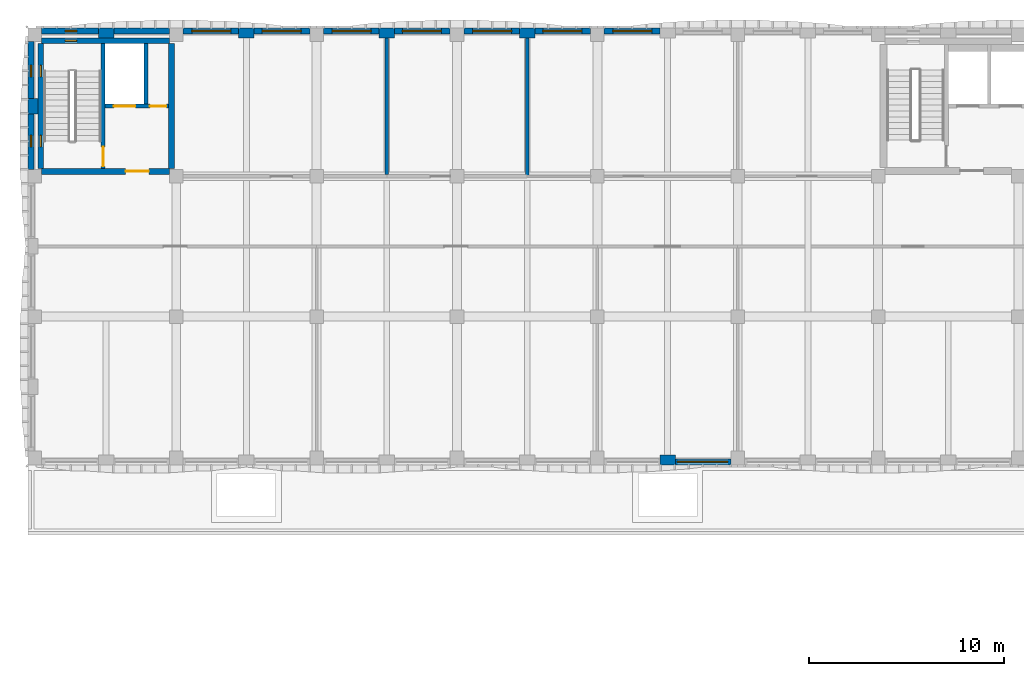
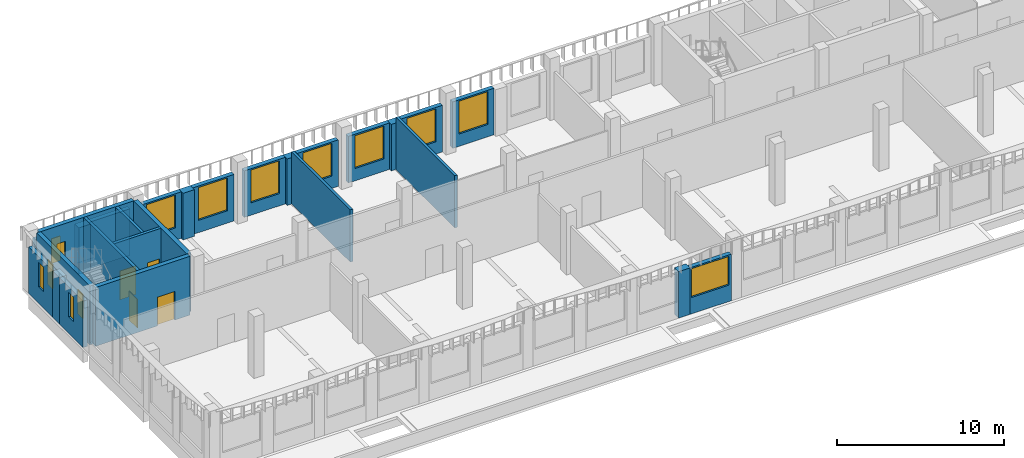
# One storey, part 27 of 59: 27 walls, 14 windows, 4 doors, 18 openings.
"""IFC4 building model written with IfcOpenShell, lengths in metres."""

from ifc_helpers import new_model, si_unit, direction, frame, frame_2d, origin, place, context, subcontext, project, spatial, rectangle, extrude, material, layer, layer_set, type_object, element, fill, save


model = new_model("IFC4")

# Units and contexts
model_context = context("Model", 3, precision=1e-05, world=origin(), true_north=direction((0.0, 1.0)))
body_context = subcontext(model_context, "Body", "Model", "MODEL_VIEW")
ifc_project = project(units=[si_unit("LENGTHUNIT", "METRE"), si_unit("AREAUNIT", "SQUARE_METRE"), si_unit("VOLUMEUNIT", "CUBIC_METRE"), si_unit("PLANEANGLEUNIT", "RADIAN"), si_unit("MASSUNIT", "GRAM", prefix="KILO")], contexts=[model_context])

# Site, building, storey
site_placement = place(None, origin())
site = spatial("IfcSite", under=ifc_project, at=site_placement, CompositionType="ELEMENT")
building_placement = place(site_placement, origin())
building = spatial("IfcBuilding", under=site, at=building_placement, Name="Ussher Court Research Institute", CompositionType="ELEMENT")
storey_placement = place(building_placement, frame((0.0, 0.0, 5.39990234375)))
storey = spatial("IfcBuildingStorey", under=building, at=storey_placement, Name="L01", CompositionType="ELEMENT", Elevation=5.39990234375)

# Walls
ifc_material_1 = material(Name="Plasterboard on steel studs with mineral wool", Category="steel")
ifc_layer_1 = layer(ifc_material_1, 0.179931640625)
ifc_layer_set_1 = layer_set([ifc_layer_1], Name="Plasterboard on steel studs with mineral wool")
wall_type_1 = type_object("IfcWallType", Name="Acoustic twin-stud partition 180", PredefinedType="PARTITIONING", material=ifc_layer_set_1)
wall_1_placement = place(storey_placement, frame((21.0, 83.2900390625, 0.0), z_axis=(0.0, 0.0, 1.0), x_axis=(0.0, 1.0, 0.0)))
element("IfcWall", 1, at=wall_1_placement, inside=storey, type_object=wall_type_1, Name="Partition", PredefinedType="PARTITIONING", context=body_context, shape_type="SweptSolid", body=[
    extrude(rectangle(XDim=7.010009765625, YDim=0.179931640625, at=frame_2d((3.5048828125, 0.0))), origin(), (0.0, 0.0, 1.0), 3.820068359375),
])
wall_2_placement = place(storey_placement, frame((28.199951171875, 83.25, 0.0), z_axis=(0.0, 0.0, 1.0), x_axis=(0.0, 1.0, 0.0)))
element("IfcWall", 2, at=wall_2_placement, inside=storey, type_object=wall_type_1, Name="Partition", PredefinedType="PARTITIONING", context=body_context, shape_type="SweptSolid", body=[
    extrude(rectangle(XDim=7.050048828125, YDim=0.179931640625, at=frame_2d((3.52490234375, 0.0))), origin(), (0.0, 0.0, 1.0), 3.820068359375),
])

# Wall, opening, window
ifc_material_2 = material(Name="Blockwork with cream render", Category="masonry")
ifc_layer_2 = layer(ifc_material_2, 0.300048828125)
ifc_layer_set_2 = layer_set([ifc_layer_2], Name="Blockwork with cream render")
wall_type_2 = type_object("IfcWallType", Name="External wall 300 cream render", PredefinedType="SOLIDWALL", material=ifc_layer_set_2)
wall_3_placement = place(storey_placement, frame((10.550048828125, 90.64990234375, 0.0), z_axis=(0.0, 0.0, 1.0), x_axis=(1.0, 0.0, 0.0)))
wall_3 = element("IfcWall", 3, at=wall_3_placement, inside=storey, type_object=wall_type_2, Name="External wall EW1 L01", PredefinedType="SOLIDWALL", context=body_context, shape_type="SweptSolid", body=[
    extrude(rectangle(XDim=2.849853515625, YDim=0.300048828125, at=frame_2d((1.4248046875, 0.0))), origin(), (0.0, 0.0, 1.0), 3.400146484375),
])
opening_1_placement = place(wall_3_placement, frame((0.449951171875, 0.0, 0.89990234375)))
opening_1 = element("IfcOpeningElement", 4, at=opening_1_placement, cuts=wall_3, Name="Opening W14", PredefinedType="OPENING", context=body_context, shape_type="SweptSolid", body=[
    extrude(rectangle(XDim=2.0, YDim=2.39990234375, at=frame_2d((1.0, 1.199951171875))), frame((0.0, 0.16015625, 0.0), z_axis=(0.0, -1.0, 0.0), x_axis=(1.0, 0.0, 0.0)), (0.0, 0.0, 1.0), 0.320068359375),
])
ifc_material_3 = material(Name="Bronze anodised aluminium with double glazing", Category="aluminium")
window_type_1 = type_object("IfcWindowType", Name="Seminar and write-up office window 2000x2400", PartitioningType="DOUBLE_PANEL_VERTICAL", PredefinedType="WINDOW", material=ifc_material_3)
window_1_placement = place(opening_1_placement, origin())
window_1 = element("IfcWindow", 5, at=window_1_placement, inside=storey, type_object=window_type_1, Name="Window W14 L01", OverallHeight=2.39990234375, OverallWidth=2.0, PartitioningType="SINGLE_PANEL", PredefinedType="WINDOW", context=body_context, shape_type="SweptSolid", body=[
    extrude(rectangle(XDim=2.0, YDim=2.39990234375, at=frame_2d((1.0, 1.199951171875))), frame((0.0, 0.030029296875, 0.0), z_axis=(0.0, -1.0, 0.0), x_axis=(1.0, 0.0, 0.0)), (0.0, 0.0, 1.0), 0.06005859375),
])
fill(opening_1, window_1)

wall_4_placement = place(storey_placement, frame((14.199951171875, 90.64990234375, 0.0), z_axis=(0.0, 0.0, 1.0), x_axis=(1.0, 0.0, 0.0)))
wall_4 = element("IfcWall", 6, at=wall_4_placement, inside=storey, type_object=wall_type_2, Name="External wall EW1 L01", PredefinedType="SOLIDWALL", context=body_context, shape_type="SweptSolid", body=[
    extrude(rectangle(XDim=2.85009765625, YDim=0.300048828125, at=frame_2d((1.425048828125, 0.0))), origin(), (0.0, 0.0, 1.0), 3.400146484375),
])
opening_2_placement = place(wall_4_placement, frame((0.39990234375, 0.0, 0.89990234375)))
opening_2 = element("IfcOpeningElement", 7, at=opening_2_placement, cuts=wall_4, Name="Opening W14", PredefinedType="OPENING", context=body_context, shape_type="SweptSolid", body=[
    extrude(rectangle(XDim=2.0, YDim=2.39990234375, at=frame_2d((1.0, 1.199951171875))), frame((0.0, 0.16015625, 0.0), z_axis=(0.0, -1.0, 0.0), x_axis=(1.0, 0.0, 0.0)), (0.0, 0.0, 1.0), 0.320068359375),
])
window_2_placement = place(opening_2_placement, origin())
window_2 = element("IfcWindow", 8, at=window_2_placement, inside=storey, type_object=window_type_1, Name="Window W14 L01", OverallHeight=2.39990234375, OverallWidth=2.0, PartitioningType="SINGLE_PANEL", PredefinedType="WINDOW", context=body_context, shape_type="SweptSolid", body=[
    extrude(rectangle(XDim=2.0, YDim=2.39990234375, at=frame_2d((1.0, 1.199951171875))), frame((0.0, 0.030029296875, 0.0), z_axis=(0.0, -1.0, 0.0), x_axis=(1.0, 0.0, 0.0)), (0.0, 0.0, 1.0), 0.06005859375),
])
fill(opening_2, window_2)

wall_5_placement = place(storey_placement, frame((17.75, 90.64990234375, 0.0), z_axis=(0.0, 0.0, 1.0), x_axis=(1.0, 0.0, 0.0)))
wall_5 = element("IfcWall", 9, at=wall_5_placement, inside=storey, type_object=wall_type_2, Name="External wall EW1 L01", PredefinedType="SOLIDWALL", context=body_context, shape_type="SweptSolid", body=[
    extrude(rectangle(XDim=2.85009765625, YDim=0.300048828125, at=frame_2d((1.425048828125, 0.0))), origin(), (0.0, 0.0, 1.0), 3.400146484375),
])
opening_3_placement = place(wall_5_placement, frame((0.449951171875, 0.0, 0.89990234375)))
opening_3 = element("IfcOpeningElement", 10, at=opening_3_placement, cuts=wall_5, Name="Opening W14", PredefinedType="OPENING", context=body_context, shape_type="SweptSolid", body=[
    extrude(rectangle(XDim=2.0, YDim=2.39990234375, at=frame_2d((1.0, 1.199951171875))), frame((0.0, 0.16015625, 0.0), z_axis=(0.0, -1.0, 0.0), x_axis=(1.0, 0.0, 0.0)), (0.0, 0.0, 1.0), 0.320068359375),
])
window_3_placement = place(opening_3_placement, origin())
window_3 = element("IfcWindow", 11, at=window_3_placement, inside=storey, type_object=window_type_1, Name="Window W14 L01", OverallHeight=2.39990234375, OverallWidth=2.0, PartitioningType="SINGLE_PANEL", PredefinedType="WINDOW", context=body_context, shape_type="SweptSolid", body=[
    extrude(rectangle(XDim=2.0, YDim=2.39990234375, at=frame_2d((1.0, 1.199951171875))), frame((0.0, 0.030029296875, 0.0), z_axis=(0.0, -1.0, 0.0), x_axis=(1.0, 0.0, 0.0)), (0.0, 0.0, 1.0), 0.06005859375),
])
fill(opening_3, window_3)

wall_6_placement = place(storey_placement, frame((21.39990234375, 90.64990234375, 0.0), z_axis=(0.0, 0.0, 1.0), x_axis=(1.0, 0.0, 0.0)))
wall_6 = element("IfcWall", 12, at=wall_6_placement, inside=storey, type_object=wall_type_2, Name="External wall EW1 L01", PredefinedType="SOLIDWALL", context=body_context, shape_type="SweptSolid", body=[
    extrude(rectangle(XDim=2.85009765625, YDim=0.300048828125, at=frame_2d((1.425048828125, 0.0))), origin(), (0.0, 0.0, 1.0), 3.400146484375),
])
opening_4_placement = place(wall_6_placement, frame((0.39990234375, 0.0, 0.89990234375)))
opening_4 = element("IfcOpeningElement", 13, at=opening_4_placement, cuts=wall_6, Name="Opening W14", PredefinedType="OPENING", context=body_context, shape_type="SweptSolid", body=[
    extrude(rectangle(XDim=2.0, YDim=2.39990234375, at=frame_2d((1.0, 1.199951171875))), frame((0.0, 0.16015625, 0.0), z_axis=(0.0, -1.0, 0.0), x_axis=(1.0, 0.0, 0.0)), (0.0, 0.0, 1.0), 0.320068359375),
])
window_4_placement = place(opening_4_placement, origin())
window_4 = element("IfcWindow", 14, at=window_4_placement, inside=storey, type_object=window_type_1, Name="Window W14 L01", OverallHeight=2.39990234375, OverallWidth=2.0, PartitioningType="SINGLE_PANEL", PredefinedType="WINDOW", context=body_context, shape_type="SweptSolid", body=[
    extrude(rectangle(XDim=2.0, YDim=2.39990234375, at=frame_2d((1.0, 1.199951171875))), frame((0.0, 0.030029296875, 0.0), z_axis=(0.0, -1.0, 0.0), x_axis=(1.0, 0.0, 0.0)), (0.0, 0.0, 1.0), 0.06005859375),
])
fill(opening_4, window_4)

wall_7_placement = place(storey_placement, frame((24.949951171875, 90.64990234375, 0.0), z_axis=(0.0, 0.0, 1.0), x_axis=(1.0, 0.0, 0.0)))
wall_7 = element("IfcWall", 15, at=wall_7_placement, inside=storey, type_object=wall_type_2, Name="External wall EW1 L01", PredefinedType="SOLIDWALL", context=body_context, shape_type="SweptSolid", body=[
    extrude(rectangle(XDim=2.85009765625, YDim=0.300048828125, at=frame_2d((1.425048828125, 0.0))), origin(), (0.0, 0.0, 1.0), 3.400146484375),
])
opening_5_placement = place(wall_7_placement, frame((0.449951171875, 0.0, 0.89990234375)))
opening_5 = element("IfcOpeningElement", 16, at=opening_5_placement, cuts=wall_7, Name="Opening W14", PredefinedType="OPENING", context=body_context, shape_type="SweptSolid", body=[
    extrude(rectangle(XDim=2.0, YDim=2.39990234375, at=frame_2d((1.0, 1.199951171875))), frame((0.0, 0.16015625, 0.0), z_axis=(0.0, -1.0, 0.0), x_axis=(1.0, 0.0, 0.0)), (0.0, 0.0, 1.0), 0.320068359375),
])
window_5_placement = place(opening_5_placement, origin())
window_5 = element("IfcWindow", 17, at=window_5_placement, inside=storey, type_object=window_type_1, Name="Window W14 L01", OverallHeight=2.39990234375, OverallWidth=2.0, PartitioningType="SINGLE_PANEL", PredefinedType="WINDOW", context=body_context, shape_type="SweptSolid", body=[
    extrude(rectangle(XDim=2.0, YDim=2.39990234375, at=frame_2d((1.0, 1.199951171875))), frame((0.0, 0.030029296875, 0.0), z_axis=(0.0, -1.0, 0.0), x_axis=(1.0, 0.0, 0.0)), (0.0, 0.0, 1.0), 0.06005859375),
])
fill(opening_5, window_5)

wall_8_placement = place(storey_placement, frame((28.60009765625, 90.64990234375, 0.0), z_axis=(0.0, 0.0, 1.0), x_axis=(1.0, 0.0, 0.0)))
wall_8 = element("IfcWall", 18, at=wall_8_placement, inside=storey, type_object=wall_type_2, Name="External wall EW1 L01", PredefinedType="SOLIDWALL", context=body_context, shape_type="SweptSolid", body=[
    extrude(rectangle(XDim=2.849853515625, YDim=0.300048828125, at=frame_2d((1.4248046875, 0.0))), origin(), (0.0, 0.0, 1.0), 3.400146484375),
])
opening_6_placement = place(wall_8_placement, frame((0.39990234375, 0.0, 0.89990234375)))
opening_6 = element("IfcOpeningElement", 19, at=opening_6_placement, cuts=wall_8, Name="Opening W14", PredefinedType="OPENING", context=body_context, shape_type="SweptSolid", body=[
    extrude(rectangle(XDim=2.0, YDim=2.39990234375, at=frame_2d((1.0, 1.199951171875))), frame((0.0, 0.16015625, 0.0), z_axis=(0.0, -1.0, 0.0), x_axis=(1.0, 0.0, 0.0)), (0.0, 0.0, 1.0), 0.320068359375),
])
window_6_placement = place(opening_6_placement, origin())
window_6 = element("IfcWindow", 20, at=window_6_placement, inside=storey, type_object=window_type_1, Name="Window W14 L01", OverallHeight=2.39990234375, OverallWidth=2.0, PartitioningType="SINGLE_PANEL", PredefinedType="WINDOW", context=body_context, shape_type="SweptSolid", body=[
    extrude(rectangle(XDim=2.0, YDim=2.39990234375, at=frame_2d((1.0, 1.199951171875))), frame((0.0, 0.030029296875, 0.0), z_axis=(0.0, -1.0, 0.0), x_axis=(1.0, 0.0, 0.0)), (0.0, 0.0, 1.0), 0.06005859375),
])
fill(opening_6, window_6)

wall_9_placement = place(storey_placement, frame((32.14990234375, 90.64990234375, 0.0), z_axis=(0.0, 0.0, 1.0), x_axis=(1.0, 0.0, 0.0)))
wall_9 = element("IfcWall", 21, at=wall_9_placement, inside=storey, type_object=wall_type_2, Name="External wall EW1 L01", PredefinedType="SOLIDWALL", context=body_context, shape_type="SweptSolid", body=[
    extrude(rectangle(XDim=2.85009765625, YDim=0.300048828125, at=frame_2d((1.425048828125, 0.0))), origin(), (0.0, 0.0, 1.0), 3.400146484375),
])
opening_7_placement = place(wall_9_placement, frame((0.449951171875, 0.0, 0.89990234375)))
opening_7 = element("IfcOpeningElement", 22, at=opening_7_placement, cuts=wall_9, Name="Opening W14", PredefinedType="OPENING", context=body_context, shape_type="SweptSolid", body=[
    extrude(rectangle(XDim=2.0, YDim=2.39990234375, at=frame_2d((1.0, 1.199951171875))), frame((0.0, 0.16015625, 0.0), z_axis=(0.0, -1.0, 0.0), x_axis=(1.0, 0.0, 0.0)), (0.0, 0.0, 1.0), 0.320068359375),
])
window_7_placement = place(opening_7_placement, origin())
window_7 = element("IfcWindow", 23, at=window_7_placement, inside=storey, type_object=window_type_1, Name="Window W14 L01", OverallHeight=2.39990234375, OverallWidth=2.0, PartitioningType="SINGLE_PANEL", PredefinedType="WINDOW", context=body_context, shape_type="SweptSolid", body=[
    extrude(rectangle(XDim=2.0, YDim=2.39990234375, at=frame_2d((1.0, 1.199951171875))), frame((0.0, 0.030029296875, 0.0), z_axis=(0.0, -1.0, 0.0), x_axis=(1.0, 0.0, 0.0)), (0.0, 0.0, 1.0), 0.06005859375),
])
fill(opening_7, window_7)

wall_10_placement = place(storey_placement, frame((38.64990234375, 68.550048828125, 0.0), z_axis=(0.0, 0.0, 1.0), x_axis=(-1.0, 0.0, 0.0)))
wall_10 = element("IfcWall", 24, at=wall_10_placement, inside=storey, type_object=wall_type_2, Name="External wall EW1 L01", PredefinedType="SOLIDWALL", context=body_context, shape_type="SweptSolid", body=[
    extrude(rectangle(XDim=2.849853515625, YDim=0.300048828125, at=frame_2d((1.4248046875, 0.0))), origin(), (0.0, 0.0, 1.0), 3.400146484375),
])
opening_8_placement = place(wall_10_placement, frame((0.14990234375, 0.0, 1.199951171875)))
opening_8 = element("IfcOpeningElement", 25, at=opening_8_placement, cuts=wall_10, Name="Opening W08", PredefinedType="OPENING", context=body_context, shape_type="SweptSolid", body=[
    extrude(rectangle(XDim=2.60009765625, YDim=2.10009765625, at=frame_2d((1.300048828125, 1.050048828125))), frame((0.0, 0.16015625, 0.0), z_axis=(0.0, -1.0, 0.0), x_axis=(1.0, 0.0, 0.0)), (0.0, 0.0, 1.0), 0.320068359375),
])
ifc_material_4 = material(Name="Bronze anodised aluminium with double glazing", Category="aluminium")
window_type_2 = type_object("IfcWindowType", Name="Dry laboratory bay window 2600x2100", PartitioningType="DOUBLE_PANEL_VERTICAL", PredefinedType="WINDOW", material=ifc_material_4)
window_8_placement = place(opening_8_placement, origin())
window_8 = element("IfcWindow", 26, at=window_8_placement, inside=storey, type_object=window_type_2, Name="Window W08 L01", OverallHeight=2.10009765625, OverallWidth=2.60009765625, PartitioningType="SINGLE_PANEL", PredefinedType="WINDOW", context=body_context, shape_type="SweptSolid", body=[
    extrude(rectangle(XDim=2.60009765625, YDim=2.10009765625, at=frame_2d((1.300048828125, 1.050048828125))), frame((0.0, 0.030029296875, 0.0), z_axis=(0.0, -1.0, 0.0), x_axis=(1.0, 0.0, 0.0)), (0.0, 0.0, 1.0), 0.06005859375),
])
fill(opening_8, window_8)

ifc_material_5 = material(Name="Limestone facing on blockwork", Category="masonry")
ifc_layer_3 = layer(ifc_material_5, 0.300048828125)
ifc_layer_set_3 = layer_set([ifc_layer_3], Name="Limestone facing on blockwork")
wall_type_3 = type_object("IfcWallType", Name="External wall 300 stair enclosure", PredefinedType="SOLIDWALL", material=ifc_layer_set_3)
wall_11_placement = place(storey_placement, frame((3.300048828125, 90.64990234375, 0.0), z_axis=(0.0, 0.0, 1.0), x_axis=(1.0, 0.0, 0.0)))
wall_11 = element("IfcWall", 27, at=wall_11_placement, inside=storey, type_object=wall_type_3, Name="External wall EW5 L01", PredefinedType="SOLIDWALL", context=body_context, shape_type="SweptSolid", body=[
    extrude(rectangle(XDim=2.89990234375, YDim=0.300048828125, at=frame_2d((1.449951171875, 0.0))), origin(), (0.0, 0.0, 1.0), 3.400146484375),
])
opening_9_placement = place(wall_11_placement, frame((1.199951171875, 0.0, 1.199951171875)))
opening_9 = element("IfcOpeningElement", 28, at=opening_9_placement, cuts=wall_11, Name="Opening W25", PredefinedType="OPENING", context=body_context, shape_type="SweptSolid", body=[
    extrude(rectangle(XDim=0.60009765625, YDim=1.800048828125, at=frame_2d((0.300048828125, 0.89990234375))), frame((0.0, 0.16015625, 0.0), z_axis=(0.0, -1.0, 0.0), x_axis=(1.0, 0.0, 0.0)), (0.0, 0.0, 1.0), 0.320068359375),
])
ifc_material_6 = material(Name="Bronze anodised aluminium with double glazing", Category="aluminium")
window_type_3 = type_object("IfcWindowType", Name="Stair light slot window 600x1800 fire-resisting glazing", PartitioningType="SINGLE_PANEL", PredefinedType="WINDOW", material=ifc_material_6)
window_9_placement = place(opening_9_placement, origin())
window_9 = element("IfcWindow", 29, at=window_9_placement, inside=storey, type_object=window_type_3, Name="Window W25 L01", OverallHeight=1.800048828125, OverallWidth=0.60009765625, PartitioningType="SINGLE_PANEL", PredefinedType="WINDOW", context=body_context, shape_type="SweptSolid", body=[
    extrude(rectangle(XDim=0.60009765625, YDim=1.800048828125, at=frame_2d((0.300048828125, 0.89990234375))), frame((0.0, 0.030029296875, 0.0), z_axis=(0.0, -1.0, 0.0), x_axis=(1.0, 0.0, 0.0)), (0.0, 0.0, 1.0), 0.06005859375),
])
fill(opening_9, window_9)

# Wall
wall_12_placement = place(storey_placement, frame((7.0, 90.64990234375, 0.0), z_axis=(0.0, 0.0, 1.0), x_axis=(1.0, 0.0, 0.0)))
element("IfcWall", 30, at=wall_12_placement, inside=storey, type_object=wall_type_3, Name="External wall EW5 L01", PredefinedType="SOLIDWALL", context=body_context, shape_type="SweptSolid", body=[
    extrude(rectangle(XDim=2.85009765625, YDim=0.300048828125, at=frame_2d((1.425048828125, 0.0))), origin(), (0.0, 0.0, 1.0), 3.400146484375),
])

# Wall, opening, window
wall_13_placement = place(storey_placement, frame((2.75, 83.550048828125, 0.0), z_axis=(0.0, 0.0, 1.0), x_axis=(0.0, 1.0, 0.0)))
wall_13 = element("IfcWall", 31, at=wall_13_placement, inside=storey, type_object=wall_type_3, Name="External wall EW5 L01", PredefinedType="SOLIDWALL", context=body_context, shape_type="SweptSolid", body=[
    extrude(rectangle(XDim=2.849853515625, YDim=0.300048828125, at=frame_2d((1.4248046875, 0.0))), origin(), (0.0, 0.0, 1.0), 3.400146484375),
])
opening_10_placement = place(wall_13_placement, frame((1.14990234375, 0.0, 1.199951171875)))
opening_10 = element("IfcOpeningElement", 32, at=opening_10_placement, cuts=wall_13, Name="Opening W25", PredefinedType="OPENING", context=body_context, shape_type="SweptSolid", body=[
    extrude(rectangle(XDim=0.60009765625, YDim=1.800048828125, at=frame_2d((0.300048828125, 0.89990234375))), frame((0.0, 0.16015625, 0.0), z_axis=(0.0, -1.0, 0.0), x_axis=(1.0, 0.0, 0.0)), (0.0, 0.0, 1.0), 0.320068359375),
])
window_10_placement = place(opening_10_placement, origin())
window_10 = element("IfcWindow", 33, at=window_10_placement, inside=storey, type_object=window_type_3, Name="Window W25 L01", OverallHeight=1.800048828125, OverallWidth=0.60009765625, PartitioningType="SINGLE_PANEL", PredefinedType="WINDOW", context=body_context, shape_type="SweptSolid", body=[
    extrude(rectangle(XDim=0.60009765625, YDim=1.800048828125, at=frame_2d((0.300048828125, 0.89990234375))), frame((0.0, 0.030029296875, 0.0), z_axis=(0.0, -1.0, 0.0), x_axis=(1.0, 0.0, 0.0)), (0.0, 0.0, 1.0), 0.06005859375),
])
fill(opening_10, window_10)

wall_14_placement = place(storey_placement, frame((2.75, 87.199951171875, 0.0), z_axis=(0.0, 0.0, 1.0), x_axis=(0.0, 1.0, 0.0)))
wall_14 = element("IfcWall", 34, at=wall_14_placement, inside=storey, type_object=wall_type_3, Name="External wall EW5 L01", PredefinedType="SOLIDWALL", context=body_context, shape_type="SweptSolid", body=[
    extrude(rectangle(XDim=2.900146484375, YDim=0.300048828125, at=frame_2d((1.4501953125, 0.0))), origin(), (0.0, 0.0, 1.0), 3.400146484375),
])
opening_11_placement = place(wall_14_placement, frame((1.10009765625, 0.0, 1.199951171875)))
opening_11 = element("IfcOpeningElement", 35, at=opening_11_placement, cuts=wall_14, Name="Opening W25", PredefinedType="OPENING", context=body_context, shape_type="SweptSolid", body=[
    extrude(rectangle(XDim=0.60009765625, YDim=1.800048828125, at=frame_2d((0.300048828125, 0.89990234375))), frame((0.0, 0.16015625, 0.0), z_axis=(0.0, -1.0, 0.0), x_axis=(1.0, 0.0, 0.0)), (0.0, 0.0, 1.0), 0.320068359375),
])
window_11_placement = place(opening_11_placement, origin())
window_11 = element("IfcWindow", 36, at=window_11_placement, inside=storey, type_object=window_type_3, Name="Window W25 L01", OverallHeight=1.800048828125, OverallWidth=0.60009765625, PartitioningType="SINGLE_PANEL", PredefinedType="WINDOW", context=body_context, shape_type="SweptSolid", body=[
    extrude(rectangle(XDim=0.60009765625, YDim=1.800048828125, at=frame_2d((0.300048828125, 0.89990234375))), frame((0.0, 0.030029296875, 0.0), z_axis=(0.0, -1.0, 0.0), x_axis=(1.0, 0.0, 0.0)), (0.0, 0.0, 1.0), 0.06005859375),
])
fill(opening_11, window_11)

# Walls
ifc_material_7 = material(Name="Blockwork with cream render", Category="masonry")
ifc_layer_4 = layer(ifc_material_7, 0.5)
ifc_layer_set_4 = layer_set([ifc_layer_4], Name="Blockwork with cream render")
wall_type_4 = type_object("IfcWallType", Name="Pier 800x500 cream render", PredefinedType="SOLIDWALL", material=ifc_layer_set_4)
for number, where, z_axis, x_axis, name in (
    (37, (6.199951171875, 90.550048828125, 0.0), (0.0, 0.0, 1.0), (1.0, 0.0, 0.0), "Pier PR1 L01"),
    (38, (13.39990234375, 90.550048828125, 0.0), (0.0, 0.0, 1.0), (1.0, 0.0, 0.0), "Pier PR1 L01"),
):
    element("IfcWall", number, at=place(storey_placement, frame(where, z_axis=z_axis, x_axis=x_axis)), inside=storey, type_object=wall_type_4, Name=name, PredefinedType="SOLIDWALL", context=body_context, shape_type="SweptSolid", body=[
        extrude(rectangle(XDim=0.800048828125, YDim=0.5, at=frame_2d((0.39990234375, 0.0))), origin(), (0.0, 0.0, 1.0), 3.400146484375),
    ])
wall_15_placement = place(storey_placement, frame((20.60009765625, 90.550048828125, 0.0), z_axis=(0.0, 0.0, 1.0), x_axis=(1.0, 0.0, 0.0)))
element("IfcWall", 39, at=wall_15_placement, inside=storey, type_object=wall_type_4, Name="Pier PR1 L01", PredefinedType="SOLIDWALL", context=body_context, shape_type="SweptSolid", body=[
    extrude(rectangle(XDim=0.7998046875, YDim=0.5, at=frame_2d((0.39990234375, 0.0))), origin(), (0.0, 0.0, 1.0), 3.400146484375),
])
for number, where, z_axis, x_axis, name in (
    (40, (27.800048828125, 90.550048828125, 0.0), (0.0, 0.0, 1.0), (1.0, 0.0, 0.0), "Pier PR1 L01"),
    (41, (35.800048828125, 68.64990234375, 0.0), (0.0, 0.0, 1.0), (-1.0, 0.0, 0.0), "Pier PR1 L01"),
    (42, (2.85009765625, 86.39990234375, 0.0), (0.0, 0.0, 1.0), (0.0, 1.0, 0.0), "Pier PR1 L01"),
):
    element("IfcWall", number, at=place(storey_placement, frame(where, z_axis=z_axis, x_axis=x_axis)), inside=storey, type_object=wall_type_4, Name=name, PredefinedType="SOLIDWALL", context=body_context, shape_type="SweptSolid", body=[
        extrude(rectangle(XDim=0.800048828125, YDim=0.5, at=frame_2d((0.39990234375, 0.0))), origin(), (0.0, 0.0, 1.0), 3.400146484375),
    ])

# Wall, opening, door
ifc_material_8 = material(Name="Concrete C35/45", Category="concrete")
ifc_layer_5 = layer(ifc_material_8, 0.199951171875)
ifc_layer_set_5 = layer_set([ifc_layer_5], Name="Concrete C35/45")
wall_type_5 = type_object("IfcWallType", Name="RC core wall 200", PredefinedType="SHEAR", material=ifc_layer_set_5)
wall_16_placement = place(storey_placement, frame((6.449951171875, 83.60009765625, 0.0), z_axis=(0.0, 0.0, 1.0), x_axis=(0.0, 1.0, 0.0)))
wall_16 = element("IfcWall", 43, at=wall_16_placement, inside=storey, type_object=wall_type_5, Name="Core wall D1", PredefinedType="SHEAR", context=body_context, shape_type="SweptSolid", body=[
    extrude(rectangle(XDim=6.39990234375, YDim=0.199951171875, at=frame_2d((3.199951171875, 0.0))), origin(), (0.0, 0.0, 1.0), 4.300048828125),
])
opening_12_placement = place(wall_16_placement, frame((0.10009765625, 0.0, 0.0)))
opening_12 = element("IfcOpeningElement", 44, at=opening_12_placement, cuts=wall_16, Name="Opening D01002", PredefinedType="OPENING", context=body_context, shape_type="SweptSolid", body=[
    extrude(rectangle(XDim=1.0, YDim=2.10009765625, at=frame_2d((0.5, 1.050048828125))), frame((0.0, 0.10986328125, 0.0), z_axis=(0.0, -1.0, 0.0), x_axis=(1.0, 0.0, 0.0)), (0.0, 0.0, 1.0), 0.219970703125),
])
ifc_material_9 = material(Name="Painted steel faced fire door", Category="steel")
door_type_1 = type_object("IfcDoorType", Name="Fire door 1000x2100 FD60", OperationType="NOTDEFINED", PredefinedType="DOOR", material=ifc_material_9)
door_1_placement = place(opening_12_placement, origin())
door_1 = element("IfcDoor", 45, at=door_1_placement, inside=storey, type_object=door_type_1, Name="Door D01002", OperationType="SINGLE_SWING_LEFT", OverallHeight=2.10009765625, OverallWidth=1.0, PredefinedType="DOOR", context=body_context, shape_type="SweptSolid", body=[
    extrude(rectangle(XDim=1.0, YDim=2.10009765625, at=frame_2d((0.5, 1.050048828125))), frame((0.0, 0.02490234375, 0.0), z_axis=(0.0, -1.0, 0.0), x_axis=(1.0, 0.0, 0.0)), (0.0, 0.0, 1.0), 0.050048828125),
])
fill(opening_12, door_1)

# Wall, openings, doors
wall_17_placement = place(storey_placement, frame((9.800048828125, 86.800048828125, 0.0), z_axis=(0.0, 0.0, 1.0), x_axis=(-1.0, 0.0, 0.0)))
wall_17 = element("IfcWall", 46, at=wall_17_placement, inside=storey, type_object=wall_type_5, Name="Core wall D1", PredefinedType="SHEAR", context=body_context, shape_type="SweptSolid", body=[
    extrude(rectangle(XDim=3.25, YDim=0.199951171875, at=frame_2d((1.625, 0.0))), origin(), (0.0, 0.0, 1.0), 4.300048828125),
])
opening_13_placement = place(wall_17_placement, frame((1.699951171875, 0.0, 0.0)))
opening_13 = element("IfcOpeningElement", 47, at=opening_13_placement, cuts=wall_17, Name="Opening LD15", PredefinedType="OPENING", context=body_context, shape_type="SweptSolid", body=[
    extrude(rectangle(XDim=1.10009765625, YDim=2.10009765625, at=frame_2d((0.550048828125, 1.050048828125))), frame((0.0, 0.10986328125, 0.0), z_axis=(0.0, -1.0, 0.0), x_axis=(1.0, 0.0, 0.0)), (0.0, 0.0, 1.0), 0.219970703125),
])
opening_14_placement = place(wall_17_placement, frame((0.10009765625, 0.0, 0.0)))
opening_14 = element("IfcOpeningElement", 48, at=opening_14_placement, cuts=wall_17, Name="Opening D01007", PredefinedType="OPENING", context=body_context, shape_type="SweptSolid", body=[
    extrude(rectangle(XDim=0.85009765625, YDim=2.10009765625, at=frame_2d((0.425048828125, 1.050048828125))), frame((0.0, 0.10986328125, 0.0), z_axis=(0.0, -1.0, 0.0), x_axis=(1.0, 0.0, 0.0)), (0.0, 0.0, 1.0), 0.219970703125),
])
ifc_material_10 = material(Name="Painted steel faced fire door", Category="steel")
door_type_2 = type_object("IfcDoorType", Name="Fire door 850x2100 FD60", OperationType="NOTDEFINED", PredefinedType="DOOR", material=ifc_material_10)
door_2_placement = place(opening_14_placement, origin())
door_2 = element("IfcDoor", 49, at=door_2_placement, inside=storey, type_object=door_type_2, Name="Door D01007", OperationType="SINGLE_SWING_LEFT", OverallHeight=2.10009765625, OverallWidth=0.85009765625, PredefinedType="DOOR", context=body_context, shape_type="SweptSolid", body=[
    extrude(rectangle(XDim=0.85009765625, YDim=2.10009765625, at=frame_2d((0.425048828125, 1.050048828125))), frame((0.0, 0.02490234375, 0.0), z_axis=(0.0, -1.0, 0.0), x_axis=(1.0, 0.0, 0.0)), (0.0, 0.0, 1.0), 0.050048828125),
])
fill(opening_14, door_2)
ifc_material_11 = material(Name="Stainless steel lift door", Category="steel")
door_type_3 = type_object("IfcDoorType", Name="Lift landing door 1100x2100 sliding", OperationType="DOUBLE_DOOR_SLIDING", PredefinedType="DOOR", material=ifc_material_11)
door_3_placement = place(opening_13_placement, origin())
door_3 = element("IfcDoor", 50, at=door_3_placement, inside=storey, type_object=door_type_3, Name="Landing door D1-1 L01", OperationType="DOUBLE_DOOR_SLIDING", OverallHeight=2.10009765625, OverallWidth=1.10009765625, PredefinedType="DOOR", context=body_context, shape_type="SweptSolid", body=[
    extrude(rectangle(XDim=1.10009765625, YDim=2.10009765625, at=frame_2d((0.550048828125, 1.050048828125))), frame((0.0, 0.02490234375, 0.0), z_axis=(0.0, -1.0, 0.0), x_axis=(1.0, 0.0, 0.0)), (0.0, 0.0, 1.0), 0.050048828125),
])
fill(opening_13, door_3)

# Wall
wall_18_placement = place(storey_placement, frame((8.64990234375, 86.89990234375, 0.0), z_axis=(0.0, 0.0, 1.0), x_axis=(0.0, 1.0, 0.0)))
element("IfcWall", 51, at=wall_18_placement, inside=storey, type_object=wall_type_5, Name="Core wall D1", PredefinedType="SHEAR", context=body_context, shape_type="SweptSolid", body=[
    extrude(rectangle(XDim=3.10009765625, YDim=0.199951171875, at=frame_2d((1.550048828125, 0.0))), origin(), (0.0, 0.0, 1.0), 4.300048828125),
])

# Wall, opening, door
ifc_material_12 = material(Name="Concrete C35/45", Category="concrete")
ifc_layer_6 = layer(ifc_material_12, 0.300048828125)
ifc_layer_set_6 = layer_set([ifc_layer_6], Name="Concrete C35/45")
wall_type_6 = type_object("IfcWallType", Name="RC core wall 300", PredefinedType="SHEAR", material=ifc_layer_set_6)
wall_19_placement = place(storey_placement, frame((3.300048828125, 83.449951171875, 0.0), z_axis=(0.0, 0.0, 1.0), x_axis=(1.0, 0.0, 0.0)))
wall_19 = element("IfcWall", 52, at=wall_19_placement, inside=storey, type_object=wall_type_6, Name="Core wall D1", PredefinedType="SHEAR", context=body_context, shape_type="SweptSolid", body=[
    extrude(rectangle(XDim=6.550048828125, YDim=0.300048828125, at=frame_2d((3.27490234375, 0.0))), origin(), (0.0, 0.0, 1.0), 4.300048828125),
])
opening_15_placement = place(wall_19_placement, frame((4.300048828125, 0.0, 0.0)))
opening_15 = element("IfcOpeningElement", 53, at=opening_15_placement, cuts=wall_19, Name="Opening D01004", PredefinedType="OPENING", context=body_context, shape_type="SweptSolid", body=[
    extrude(rectangle(XDim=1.199951171875, YDim=2.10009765625, at=frame_2d((0.60009765625, 1.050048828125))), frame((0.0, 0.16015625, 0.0), z_axis=(0.0, -1.0, 0.0), x_axis=(1.0, 0.0, 0.0)), (0.0, 0.0, 1.0), 0.320068359375),
])
ifc_material_13 = material(Name="Painted steel faced fire door", Category="steel")
door_type_4 = type_object("IfcDoorType", Name="Fire door 1200x2100 FD60", OperationType="NOTDEFINED", PredefinedType="DOOR", material=ifc_material_13)
door_4_placement = place(opening_15_placement, origin())
door_4 = element("IfcDoor", 54, at=door_4_placement, inside=storey, type_object=door_type_4, Name="Door D01004", OperationType="SINGLE_SWING_RIGHT", OverallHeight=2.10009765625, OverallWidth=1.199951171875, PredefinedType="DOOR", context=body_context, shape_type="SweptSolid", body=[
    extrude(rectangle(XDim=1.199951171875, YDim=2.10009765625, at=frame_2d((0.60009765625, 1.050048828125))), frame((0.0, 0.02490234375, 0.0), z_axis=(0.0, -1.0, 0.0), x_axis=(1.0, 0.0, 0.0)), (0.0, 0.0, 1.0), 0.050048828125),
])
fill(opening_15, door_4)

# Wall, opening, window
wall_20_placement = place(storey_placement, frame((3.300048828125, 90.14990234375, 0.0), z_axis=(0.0, 0.0, 1.0), x_axis=(1.0, 0.0, 0.0)))
wall_20 = element("IfcWall", 55, at=wall_20_placement, inside=storey, type_object=wall_type_6, Name="Core wall D1", PredefinedType="SHEAR", context=body_context, shape_type="SweptSolid", body=[
    extrude(rectangle(XDim=6.550048828125, YDim=0.300048828125, at=frame_2d((3.27490234375, 0.0))), origin(), (0.0, 0.0, 1.0), 4.300048828125),
])
opening_16_placement = place(wall_20_placement, frame((1.199951171875, 0.0, 1.199951171875)))
opening_16 = element("IfcOpeningElement", 56, at=opening_16_placement, cuts=wall_20, Name="Opening W25", PredefinedType="OPENING", context=body_context, shape_type="SweptSolid", body=[
    extrude(rectangle(XDim=0.60009765625, YDim=1.800048828125, at=frame_2d((0.300048828125, 0.89990234375))), frame((0.0, 0.16015625, 0.0), z_axis=(0.0, -1.0, 0.0), x_axis=(1.0, 0.0, 0.0)), (0.0, 0.0, 1.0), 0.320068359375),
])
window_12_placement = place(opening_16_placement, origin())
window_12 = element("IfcWindow", 57, at=window_12_placement, inside=storey, type_object=window_type_3, Name="Window stair light D1 L01", OverallHeight=1.800048828125, OverallWidth=0.60009765625, PartitioningType="SINGLE_PANEL", PredefinedType="WINDOW", context=body_context, shape_type="SweptSolid", body=[
    extrude(rectangle(XDim=0.60009765625, YDim=1.800048828125, at=frame_2d((0.300048828125, 0.89990234375))), frame((0.0, 0.030029296875, 0.0), z_axis=(0.0, -1.0, 0.0), x_axis=(1.0, 0.0, 0.0)), (0.0, 0.0, 1.0), 0.06005859375),
])
fill(opening_16, window_12)

# Wall, openings, windows
wall_21_placement = place(storey_placement, frame((3.25, 83.60009765625, 0.0), z_axis=(0.0, 0.0, 1.0), x_axis=(0.0, 1.0, 0.0)))
wall_21 = element("IfcWall", 58, at=wall_21_placement, inside=storey, type_object=wall_type_6, Name="Core wall D1", PredefinedType="SHEAR", context=body_context, shape_type="SweptSolid", body=[
    extrude(rectangle(XDim=6.39990234375, YDim=0.300048828125, at=frame_2d((3.199951171875, 0.0))), origin(), (0.0, 0.0, 1.0), 4.300048828125),
])
opening_17_placement = place(wall_21_placement, frame((1.10009765625, 0.0, 1.199951171875)))
opening_17 = element("IfcOpeningElement", 59, at=opening_17_placement, cuts=wall_21, Name="Opening W25", PredefinedType="OPENING", context=body_context, shape_type="SweptSolid", body=[
    extrude(rectangle(XDim=0.60009765625, YDim=1.800048828125, at=frame_2d((0.300048828125, 0.89990234375))), frame((0.0, 0.16015625, 0.0), z_axis=(0.0, -1.0, 0.0), x_axis=(1.0, 0.0, 0.0)), (0.0, 0.0, 1.0), 0.320068359375),
])
opening_18_placement = place(wall_21_placement, frame((4.699951171875, 0.0, 1.199951171875)))
opening_18 = element("IfcOpeningElement", 60, at=opening_18_placement, cuts=wall_21, Name="Opening W25", PredefinedType="OPENING", context=body_context, shape_type="SweptSolid", body=[
    extrude(rectangle(XDim=0.60009765625, YDim=1.800048828125, at=frame_2d((0.300048828125, 0.89990234375))), frame((0.0, 0.16015625, 0.0), z_axis=(0.0, -1.0, 0.0), x_axis=(1.0, 0.0, 0.0)), (0.0, 0.0, 1.0), 0.320068359375),
])
window_13_placement = place(opening_17_placement, origin())
window_13 = element("IfcWindow", 61, at=window_13_placement, inside=storey, type_object=window_type_3, Name="Window stair light D1 L01", OverallHeight=1.800048828125, OverallWidth=0.60009765625, PartitioningType="SINGLE_PANEL", PredefinedType="WINDOW", context=body_context, shape_type="SweptSolid", body=[
    extrude(rectangle(XDim=0.60009765625, YDim=1.800048828125, at=frame_2d((0.300048828125, 0.89990234375))), frame((0.0, 0.030029296875, 0.0), z_axis=(0.0, -1.0, 0.0), x_axis=(1.0, 0.0, 0.0)), (0.0, 0.0, 1.0), 0.06005859375),
])
fill(opening_17, window_13)
window_14_placement = place(opening_18_placement, origin())
window_14 = element("IfcWindow", 62, at=window_14_placement, inside=storey, type_object=window_type_3, Name="Window stair light D1 L01", OverallHeight=1.800048828125, OverallWidth=0.60009765625, PartitioningType="SINGLE_PANEL", PredefinedType="WINDOW", context=body_context, shape_type="SweptSolid", body=[
    extrude(rectangle(XDim=0.60009765625, YDim=1.800048828125, at=frame_2d((0.300048828125, 0.89990234375))), frame((0.0, 0.030029296875, 0.0), z_axis=(0.0, -1.0, 0.0), x_axis=(1.0, 0.0, 0.0)), (0.0, 0.0, 1.0), 0.06005859375),
])
fill(opening_18, window_14)

# Wall
wall_22_placement = place(storey_placement, frame((9.949951171875, 83.60009765625, 0.0), z_axis=(0.0, 0.0, 1.0), x_axis=(0.0, 1.0, 0.0)))
element("IfcWall", 63, at=wall_22_placement, inside=storey, type_object=wall_type_6, Name="Core wall D1", PredefinedType="SHEAR", context=body_context, shape_type="SweptSolid", body=[
    extrude(rectangle(XDim=6.39990234375, YDim=0.300048828125, at=frame_2d((3.199951171875, 0.0))), origin(), (0.0, 0.0, 1.0), 4.300048828125),
])

save(model, "model.ifc")
